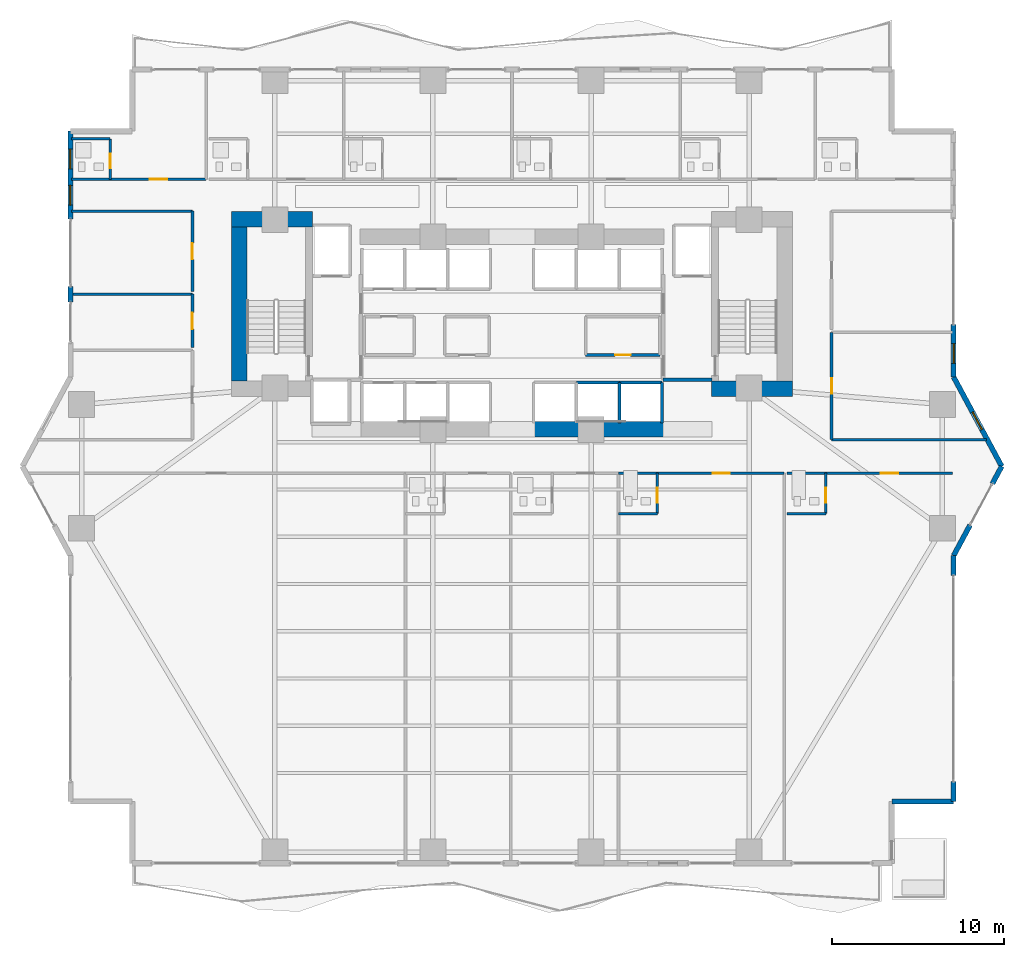
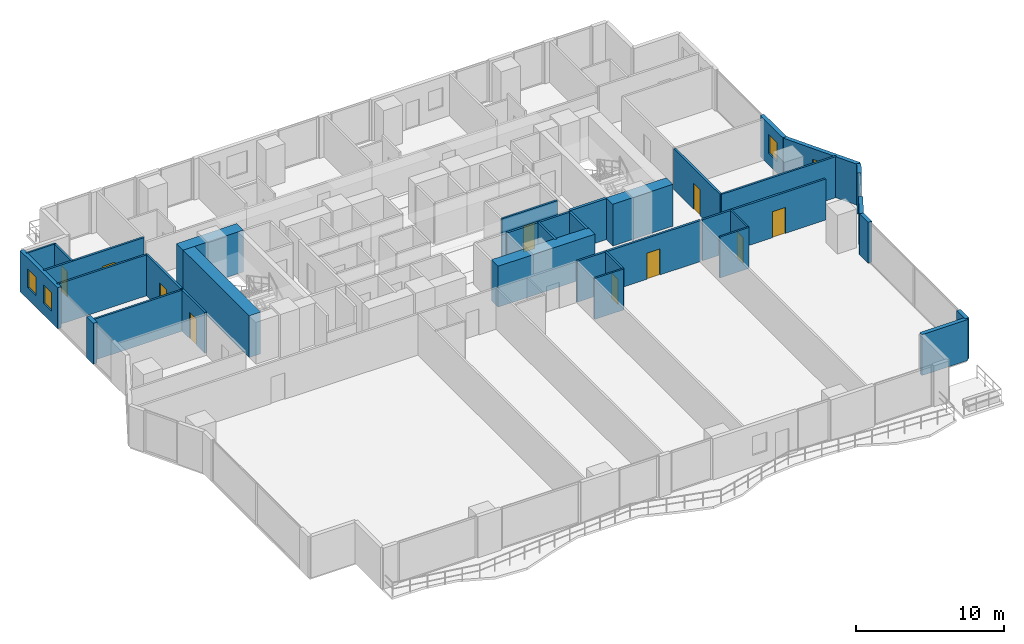
# One storey, part 20 of 30: 34 walls, 10 doors, 4 windows, 14 openings.
"""IFC4 building model written with IfcOpenShell, lengths in metres."""

from ifc_helpers import new_model, si_unit, direction, frame, frame_2d, origin, place, context, subcontext, project, spatial, rectangle, extrude, material, layer, layer_set, type_object, element, fill, save


model = new_model("IFC4")

# Units and contexts
model_context = context("Model", 3, precision=1e-05, world=origin(), true_north=direction((0.0, 1.0)))
body_context = subcontext(model_context, "Body", "Model", "MODEL_VIEW")
ifc_project = project(units=[si_unit("LENGTHUNIT", "METRE"), si_unit("AREAUNIT", "SQUARE_METRE"), si_unit("VOLUMEUNIT", "CUBIC_METRE"), si_unit("PLANEANGLEUNIT", "RADIAN"), si_unit("MASSUNIT", "GRAM", prefix="KILO")], contexts=[model_context])

# Site, building, storey
site_placement = place(None, origin())
site = spatial("IfcSite", under=ifc_project, at=site_placement, CompositionType="ELEMENT")
building_placement = place(site_placement, origin())
building = spatial("IfcBuilding", under=site, at=building_placement, Name="Zuhayl Quay Hotel", CompositionType="ELEMENT")
storey_placement = place(building_placement, frame((0.0, 0.0, 86.0)))
storey = spatial("IfcBuildingStorey", under=building, at=storey_placement, Name="L21", CompositionType="ELEMENT", Elevation=86.0)

# Walls
ifc_material_1 = material(Name="Concrete C70/85", Category="concrete")
ifc_layer_1 = layer(ifc_material_1, 0.89990234375, Name="Concrete C70/85", Category="concrete")
ifc_layer_set_1 = layer_set([ifc_layer_1], Name="Concrete C70/85")
wall_type_1 = type_object("IfcWallType", Name="WL_CORE_900", PredefinedType="SHEAR", material=ifc_layer_set_1)
wall_1_placement = place(storey_placement, frame((-16.31005859375, 14.3798828125, 0.0), z_axis=(0.0, 0.0, 1.0), x_axis=(1.0, 0.0, 0.0)))
element("IfcWall", 1, at=wall_1_placement, inside=storey, type_object=wall_type_1, Name="L21 Core Shear Wall CW_NW", PredefinedType="SHEAR", context=body_context, shape_type="SweptSolid", body=[
    extrude(rectangle(XDim=4.7099609375, YDim=0.89990234375, at=frame_2d((2.35498046875, 0.0))), origin(), (0.0, 0.0, 1.0), 3.4599609375),
])
wall_2_placement = place(storey_placement, frame((-15.860107421875, 4.969970703125, 0.0), z_axis=(0.0, 0.0, 1.0), x_axis=(0.0, 1.0, 0.0)))
element("IfcWall", 2, at=wall_2_placement, inside=storey, type_object=wall_type_1, Name="L21 Core Shear Wall CW_W", PredefinedType="SHEAR", context=body_context, shape_type="SweptSolid", body=[
    extrude(rectangle(XDim=8.9599609375, YDim=0.89990234375, at=frame_2d((4.47998046875, 0.0))), origin(), (0.0, 0.0, 1.0), 3.4599609375),
])
wall_3_placement = place(storey_placement, frame((11.60009765625, 4.52001953125, 0.0), z_axis=(0.0, 0.0, 1.0), x_axis=(1.0, 0.0, 0.0)))
element("IfcWall", 3, at=wall_3_placement, inside=storey, type_object=wall_type_1, Name="L21 Core Shear Wall CW_SE", PredefinedType="SHEAR", context=body_context, shape_type="SweptSolid", body=[
    extrude(rectangle(XDim=4.7099609375, YDim=0.89990234375, at=frame_2d((2.35498046875, 0.0))), origin(), (0.0, 0.0, 1.0), 3.4599609375),
])
wall_4_placement = place(storey_placement, frame((1.25, 2.14990234375, 0.0), z_axis=(0.0, 0.0, 1.0), x_axis=(1.0, 0.0, 0.0)))
element("IfcWall", 4, at=wall_4_placement, inside=storey, type_object=wall_type_1, Name="L21 Core Shear Wall CW_SC_E", PredefinedType="SHEAR", context=body_context, shape_type="SweptSolid", body=[
    extrude(rectangle(XDim=7.60009765625, YDim=0.89990234375, at=frame_2d((3.800048828125, 0.0))), origin(), (0.0, 0.0, 1.0), 3.389892578125),
])
ifc_material_2 = material(Name="Precast concrete C45/55", Category="concrete")
ifc_layer_2 = layer(ifc_material_2, 0.300048828125, Name="Precast concrete C45/55", Category="concrete")
ifc_layer_set_2 = layer_set([ifc_layer_2], Name="Precast concrete C45/55")
wall_type_2 = type_object("IfcWallType", Name="WL_EXT_300", PredefinedType="STANDARD", material=ifc_layer_set_2)
wall_5_placement = place(storey_placement, frame((-25.699951171875, 9.570068359375, 0.0), z_axis=(0.0, 0.0, 1.0), x_axis=(0.0, 1.0, 0.0)))
element("IfcWall", 5, at=wall_5_placement, inside=storey, type_object=wall_type_2, Name="L21 Exterior Precast Wall ENV_L21_E05_EW2", PredefinedType="STANDARD", context=body_context, shape_type="SweptSolid", body=[
    extrude(rectangle(XDim=0.89990234375, YDim=0.300048828125, at=frame_2d((0.449951171875, 0.0))), origin(), (0.0, 0.0, 1.0), 3.389892578125),
])

# Wall, openings, windows
wall_6_placement = place(storey_placement, frame((-25.699951171875, 14.39990234375, 0.0), z_axis=(0.0, 0.0, 1.0), x_axis=(0.0, 1.0, 0.0)))
wall_6 = element("IfcWall", 6, at=wall_6_placement, inside=storey, type_object=wall_type_2, Name="L21 Exterior Precast Wall ENV_L21_E05_EW3", PredefinedType="STANDARD", context=body_context, shape_type="SweptSolid", body=[
    extrude(rectangle(XDim=5.10009765625, YDim=0.300048828125, at=frame_2d((2.550048828125, 0.0))), origin(), (0.0, 0.0, 1.0), 3.389892578125),
])
opening_1_placement = place(wall_6_placement, frame((0.800048828125, 0.0, 0.949951171875)))
opening_1 = element("IfcOpeningElement", 7, at=opening_1_placement, cuts=wall_6, Name="Opening W01N", PredefinedType="OPENING", context=body_context, shape_type="SweptSolid", body=[
    extrude(rectangle(XDim=1.14990234375, YDim=1.550048828125, at=frame_2d((0.574951171875, 0.77490234375))), frame((0.0, 0.159912109375, 0.0), z_axis=(0.0, -1.0, 0.0), x_axis=(1.0, 0.0, 0.0)), (0.0, 0.0, 1.0), 0.320068359375),
])
opening_2_placement = place(wall_6_placement, frame((2.905029296875, 0.0, 0.949951171875)))
opening_2 = element("IfcOpeningElement", 8, at=opening_2_placement, cuts=wall_6, Name="Opening W01N", PredefinedType="OPENING", context=body_context, shape_type="SweptSolid", body=[
    extrude(rectangle(XDim=1.14990234375, YDim=1.550048828125, at=frame_2d((0.574951171875, 0.77490234375))), frame((0.0, 0.159912109375, 0.0), z_axis=(0.0, -1.0, 0.0), x_axis=(1.0, 0.0, 0.0)), (0.0, 0.0, 1.0), 0.320068359375),
])
ifc_material_3 = material(Name="Dark Ceramic-Fritted Solar Glass", Category="glass")
window_type = type_object("IfcWindowType", Name="WN_NOTCH_1350", PartitioningType="SINGLE_PANEL", PredefinedType="WINDOW", material=ifc_material_3)
window_1_placement = place(opening_1_placement, origin())
window_1 = element("IfcWindow", 9, at=window_1_placement, inside=storey, type_object=window_type, Name="L21 Operable Facade Window 3-1", OverallHeight=1.550048828125, OverallWidth=1.14990234375, PartitioningType="SINGLE_PANEL", PredefinedType="WINDOW", context=body_context, shape_type="SweptSolid", body=[
    extrude(rectangle(XDim=1.14990234375, YDim=1.550048828125, at=frame_2d((0.574951171875, 0.77490234375))), frame((0.0, 0.030029296875, 0.0), z_axis=(0.0, -1.0, 0.0), x_axis=(1.0, 0.0, 0.0)), (0.0, 0.0, 1.0), 0.06005859375),
])
fill(opening_1, window_1)
window_2_placement = place(opening_2_placement, origin())
window_2 = element("IfcWindow", 10, at=window_2_placement, inside=storey, type_object=window_type, Name="L21 Operable Facade Window 3-2", OverallHeight=1.550048828125, OverallWidth=1.14990234375, PartitioningType="SINGLE_PANEL", PredefinedType="WINDOW", context=body_context, shape_type="SweptSolid", body=[
    extrude(rectangle(XDim=1.14990234375, YDim=1.550048828125, at=frame_2d((0.574951171875, 0.77490234375))), frame((0.0, 0.030029296875, 0.0), z_axis=(0.0, -1.0, 0.0), x_axis=(1.0, 0.0, 0.0)), (0.0, 0.0, 1.0), 0.06005859375),
])
fill(opening_2, window_2)

# Wall, opening, window
wall_7_placement = place(storey_placement, frame((25.699951171875, 8.25, 0.0), z_axis=(0.0, 0.0, 1.0), x_axis=(0.0, -1.0, 0.0)))
wall_7 = element("IfcWall", 11, at=wall_7_placement, inside=storey, type_object=wall_type_2, Name="L21 Exterior Precast Wall ENV_L21_E11_EW2", PredefinedType="STANDARD", context=body_context, shape_type="SweptSolid", body=[
    extrude(rectangle(XDim=3.050048828125, YDim=0.300048828125, at=frame_2d((1.52490234375, 0.0))), origin(), (0.0, 0.0, 1.0), 3.389892578125),
])
opening_3_placement = place(wall_7_placement, frame((1.114990234375, 0.0, 0.949951171875)))
opening_3 = element("IfcOpeningElement", 12, at=opening_3_placement, cuts=wall_7, Name="Opening W01N", PredefinedType="OPENING", context=body_context, shape_type="SweptSolid", body=[
    extrude(rectangle(XDim=1.14990234375, YDim=1.550048828125, at=frame_2d((0.574951171875, 0.77490234375))), frame((0.0, 0.159912109375, 0.0), z_axis=(0.0, -1.0, 0.0), x_axis=(1.0, 0.0, 0.0)), (0.0, 0.0, 1.0), 0.320068359375),
])
window_3_placement = place(opening_3_placement, origin())
window_3 = element("IfcWindow", 13, at=window_3_placement, inside=storey, type_object=window_type, Name="L21 Operable Facade Window 2-1", OverallHeight=1.550048828125, OverallWidth=1.14990234375, PartitioningType="SINGLE_PANEL", PredefinedType="WINDOW", context=body_context, shape_type="SweptSolid", body=[
    extrude(rectangle(XDim=1.14990234375, YDim=1.550048828125, at=frame_2d((0.574951171875, 0.77490234375))), frame((0.0, 0.030029296875, 0.0), z_axis=(0.0, -1.0, 0.0), x_axis=(1.0, 0.0, 0.0)), (0.0, 0.0, 1.0), 0.06005859375),
])
fill(opening_3, window_3)

wall_8_placement = place(storey_placement, frame((25.699951171875, 5.199951171875, 0.0), z_axis=(0.0, 0.0, 1.0), x_axis=(0.474109683532, -0.880465790352, 0.0)))
wall_8 = element("IfcWall", 14, at=wall_8_placement, inside=storey, type_object=wall_type_2, Name="L21 Exterior Precast Wall ENV_L21_E12_EW1", PredefinedType="STANDARD", context=body_context, shape_type="SweptSolid", body=[
    extrude(rectangle(XDim=5.906005859375, YDim=0.300048828125, at=frame_2d((2.953125, 0.0))), origin(), (0.0, 0.0, 1.0), 3.389892578125),
])
opening_4_placement = place(wall_8_placement, frame((2.32373046875, 0.0, 0.949951171875)))
opening_4 = element("IfcOpeningElement", 15, at=opening_4_placement, cuts=wall_8, Name="Opening W01N", PredefinedType="OPENING", context=body_context, shape_type="SweptSolid", body=[
    extrude(rectangle(XDim=1.14990234375, YDim=1.550048828125, at=frame_2d((0.574951171875, 0.77490234375))), frame((0.0, 0.159912109375, 0.0), z_axis=(0.0, -1.0, 0.0), x_axis=(1.0, 0.0, 0.0)), (0.0, 0.0, 1.0), 0.320068359375),
])
window_4_placement = place(opening_4_placement, origin())
window_4 = element("IfcWindow", 16, at=window_4_placement, inside=storey, type_object=window_type, Name="L21 Operable Facade Window 1-1", OverallHeight=1.550048828125, OverallWidth=1.14990234375, PartitioningType="SINGLE_PANEL", PredefinedType="WINDOW", context=body_context, shape_type="SweptSolid", body=[
    extrude(rectangle(XDim=1.14990234375, YDim=1.550048828125, at=frame_2d((0.574951171875, 0.77490234375))), frame((0.0, 0.030029296875, 0.0), z_axis=(0.0, -1.0, 0.0), x_axis=(1.0, 0.0, 0.0)), (0.0, 0.0, 1.0), 0.06005859375),
])
fill(opening_4, window_4)

# Walls
wall_9_placement = place(storey_placement, frame((28.5, 0.0, 0.0), z_axis=(0.0, 0.0, 1.0), x_axis=(-0.474099823035, -0.880471099922, 0.0)))
element("IfcWall", 17, at=wall_9_placement, inside=storey, type_object=wall_type_2, Name="L21 Exterior Precast Wall ENV_L21_E13_EW1", PredefinedType="STANDARD", context=body_context, shape_type="SweptSolid", body=[
    extrude(rectangle(XDim=1.14990234375, YDim=0.300048828125, at=frame_2d((0.574951171875, 0.0))), origin(), (0.0, 0.0, 1.0), 3.389892578125),
])
wall_10_placement = place(storey_placement, frame((26.657958984375, -3.4208984375, 0.0), z_axis=(0.0, 0.0, 1.0), x_axis=(-0.474121438562, -0.88045946045, 0.0)))
element("IfcWall", 18, at=wall_10_placement, inside=storey, type_object=wall_type_2, Name="L21 Exterior Precast Wall ENV_L21_E13_EW2", PredefinedType="STANDARD", context=body_context, shape_type="SweptSolid", body=[
    extrude(rectangle(XDim=2.0205078125, YDim=0.300048828125, at=frame_2d((1.01025390625, 0.0))), origin(), (0.0, 0.0, 1.0), 3.389892578125),
])
wall_11_placement = place(storey_placement, frame((25.699951171875, -5.199951171875, 0.0), z_axis=(0.0, 0.0, 1.0), x_axis=(0.0, -1.0, 0.0)))
element("IfcWall", 19, at=wall_11_placement, inside=storey, type_object=wall_type_2, Name="L21 Exterior Precast Wall ENV_L21_E14_EW1", PredefinedType="STANDARD", context=body_context, shape_type="SweptSolid", body=[
    extrude(rectangle(XDim=1.150146484375, YDim=0.300048828125, at=frame_2d((0.5751953125, 0.0))), origin(), (0.0, 0.0, 1.0), 3.389892578125),
])
wall_12_placement = place(storey_placement, frame((25.699951171875, -18.35009765625, 0.0), z_axis=(0.0, 0.0, 1.0), x_axis=(0.0, -1.0, 0.0)))
element("IfcWall", 20, at=wall_12_placement, inside=storey, type_object=wall_type_2, Name="L21 Exterior Precast Wall ENV_L21_E14_EW2", PredefinedType="STANDARD", context=body_context, shape_type="SweptSolid", body=[
    extrude(rectangle(XDim=1.14990234375, YDim=0.300048828125, at=frame_2d((0.574951171875, 0.0))), origin(), (0.0, 0.0, 1.0), 3.389892578125),
])
wall_13_placement = place(storey_placement, frame((25.699951171875, -19.5, 0.0), z_axis=(0.0, 0.0, 1.0), x_axis=(-1.0, 0.0, 0.0)))
element("IfcWall", 21, at=wall_13_placement, inside=storey, type_object=wall_type_2, Name="L21 Exterior Precast Wall ENV_L21_EW15", PredefinedType="STANDARD", context=body_context, shape_type="SweptSolid", body=[
    extrude(rectangle(XDim=3.599853515625, YDim=0.300048828125, at=frame_2d((1.7998046875, 0.0))), origin(), (0.0, 0.0, 1.0), 3.389892578125),
])

# Wall, opening, door
ifc_material_4 = material(Name="Acoustic Gypsum Partition STC-58")
ifc_layer_3 = layer(ifc_material_4, 0.14990234375, Name="Acoustic Gypsum Partition STC-58")
ifc_layer_set_3 = layer_set([ifc_layer_3], Name="Acoustic Gypsum Partition STC-58")
wall_type_3 = type_object("IfcWallType", Name="WL_PART_150", PredefinedType="PARTITIONING", material=ifc_layer_set_3)
wall_14_placement = place(storey_placement, frame((4.2900390625, 6.47998046875, 0.0), z_axis=(0.0, 0.0, 1.0), x_axis=(1.0, 0.0, 0.0)))
wall_14 = element("IfcWall", 22, at=wall_14_placement, inside=storey, type_object=wall_type_3, Name="L21 Partition IW_L21_CORE_VL_S", PredefinedType="PARTITIONING", context=body_context, shape_type="SweptSolid", body=[
    extrude(rectangle(XDim=4.320068359375, YDim=0.14990234375, at=frame_2d((2.16015625, 0.0))), origin(), (0.0, 0.0, 1.0), 3.389892578125),
])
opening_5_placement = place(wall_14_placement, frame((1.7099609375, 0.0, 0.0)))
opening_5 = element("IfcOpeningElement", 23, at=opening_5_placement, cuts=wall_14, Name="Opening D06", PredefinedType="OPENING", context=body_context, shape_type="SweptSolid", body=[
    extrude(rectangle(XDim=0.89990234375, YDim=2.14990234375, at=frame_2d((0.449951171875, 1.074951171875))), frame((0.0, 0.0849609375, 0.0), z_axis=(0.0, -1.0, 0.0), x_axis=(1.0, 0.0, 0.0)), (0.0, 0.0, 1.0), 0.169921875),
])
ifc_material_5 = material(Name="Steel ASTM A992 Grade 50", Category="steel")
door_type_1 = type_object("IfcDoorType", Name="DR_INT_900", OperationType="NOTDEFINED", PredefinedType="DOOR", material=ifc_material_5)
door_1_placement = place(opening_5_placement, origin())
door_1 = element("IfcDoor", 24, at=door_1_placement, inside=storey, type_object=door_type_1, Name="L21 Floor Valet Store Door", OperationType="SINGLE_SWING_LEFT", OverallHeight=2.14990234375, OverallWidth=0.89990234375, PredefinedType="DOOR", context=body_context, shape_type="SweptSolid", body=[
    extrude(rectangle(XDim=0.89990234375, YDim=2.14990234375, at=frame_2d((0.449951171875, 1.074951171875))), frame((0.0, 0.02490234375, 0.0), z_axis=(0.0, -1.0, 0.0), x_axis=(1.0, 0.0, 0.0)), (0.0, 0.0, 1.0), 0.050048828125),
])
fill(opening_5, door_1)

# Walls
wall_15_placement = place(storey_placement, frame((18.60009765625, 1.550048828125, 0.0), z_axis=(0.0, 0.0, 1.0), x_axis=(1.0, 0.0, 0.0)))
element("IfcWall", 25, at=wall_15_placement, inside=storey, type_object=wall_type_3, Name="L21 Partition IW_L21_HK_MAIN_S", PredefinedType="PARTITIONING", context=body_context, shape_type="SweptSolid", body=[
    extrude(rectangle(XDim=9.00537109375, YDim=0.14990234375, at=frame_2d((4.502685546875, 0.0))), origin(), (0.0, 0.0, 1.0), 3.389892578125),
])
for number, where, z_axis, x_axis, name in (
    (26, (-25.639892578125, 10.02001953125, 0.0), (0.0, 0.0, 1.0), (1.0, 0.0, 0.0), "L21 Partition IW_L21_WPROW_2_N"),
    (27, (-25.639892578125, 14.85009765625, 0.0), (0.0, 0.0, 1.0), (1.0, 0.0, 0.0), "L21 Partition IW_L21_WPROW_3_N"),
):
    element("IfcWall", number, at=place(storey_placement, frame(where, z_axis=z_axis, x_axis=x_axis)), inside=storey, type_object=wall_type_3, Name=name, PredefinedType="PARTITIONING", context=body_context, shape_type="SweptSolid", body=[
        extrude(rectangle(XDim=7.039794921875, YDim=0.14990234375, at=frame_2d((3.52001953125, 0.0))), origin(), (0.0, 0.0, 1.0), 3.389892578125),
    ])

# Wall, opening, door
ifc_layer_4 = layer(ifc_material_4, 0.159912109375, Name="Acoustic Gypsum Partition STC-58")
ifc_layer_set_4 = layer_set([ifc_layer_4], Name="Acoustic Gypsum Partition STC-58")
wall_type_4 = type_object("IfcWallType", Name="WL_PART_CORR_160", PredefinedType="PARTITIONING", material=ifc_layer_set_4)
wall_16_placement = place(storey_placement, frame((-25.639892578125, 16.699951171875, 0.0), z_axis=(0.0, 0.0, 1.0), x_axis=(1.0, 0.0, 0.0)))
wall_16 = element("IfcWall", 28, at=wall_16_placement, inside=storey, type_object=wall_type_4, Name="L21 Partition IW_L21_NU01A_COR", PredefinedType="PARTITIONING", context=body_context, shape_type="SweptSolid", body=[
    extrude(rectangle(XDim=7.83984375, YDim=0.159912109375, at=frame_2d((3.919921875, 0.0))), origin(), (0.0, 0.0, 1.0), 3.389892578125),
])
opening_6_placement = place(wall_16_placement, frame((4.570068359375, 0.0, 0.0)))
opening_6 = element("IfcOpeningElement", 29, at=opening_6_placement, cuts=wall_16, Name="Opening D03L", PredefinedType="OPENING", context=body_context, shape_type="SweptSolid", body=[
    extrude(rectangle(XDim=1.0, YDim=2.14990234375, at=frame_2d((0.5, 1.074951171875))), frame((0.0, 0.08984375, 0.0), z_axis=(0.0, -1.0, 0.0), x_axis=(1.0, 0.0, 0.0)), (0.0, 0.0, 1.0), 0.179931640625),
])
ifc_material_6 = material(Name="Solid Walnut Acoustic Fire Door")
door_type_2 = type_object("IfcDoorType", Name="DR_SUITE_1000", OperationType="NOTDEFINED", PredefinedType="DOOR", material=ifc_material_6)
door_2_placement = place(opening_6_placement, origin())
door_2 = element("IfcDoor", 30, at=door_2_placement, inside=storey, type_object=door_type_2, Name="L21 Deluxe Gulf Guest Room L21-01A Entrance Door", OperationType="SINGLE_SWING_LEFT", OverallHeight=2.14990234375, OverallWidth=1.0, PredefinedType="DOOR", context=body_context, shape_type="SweptSolid", body=[
    extrude(rectangle(XDim=1.0, YDim=2.14990234375, at=frame_2d((0.5, 1.074951171875))), frame((0.0, 0.02490234375, 0.0), z_axis=(0.0, -1.0, 0.0), x_axis=(1.0, 0.0, 0.0)), (0.0, 0.0, 1.0), 0.050048828125),
])
fill(opening_6, door_2)

wall_17_placement = place(storey_placement, frame((6.199951171875, -0.39990234375, 0.0), z_axis=(0.0, 0.0, 1.0), x_axis=(1.0, 0.0, 0.0)))
wall_17 = element("IfcWall", 31, at=wall_17_placement, inside=storey, type_object=wall_type_4, Name="L21 Partition IW_L21_SU03A_COR", PredefinedType="PARTITIONING", context=body_context, shape_type="SweptSolid", body=[
    extrude(rectangle(XDim=9.64013671875, YDim=0.159912109375, at=frame_2d((4.820068359375, 0.0))), origin(), (0.0, 0.0, 1.0), 3.389892578125),
])
opening_7_placement = place(wall_17_placement, frame((5.469970703125, 0.0, 0.0)))
opening_7 = element("IfcOpeningElement", 32, at=opening_7_placement, cuts=wall_17, Name="Opening D03L", PredefinedType="OPENING", context=body_context, shape_type="SweptSolid", body=[
    extrude(rectangle(XDim=1.0, YDim=2.14990234375, at=frame_2d((0.5, 1.074951171875))), frame((0.0, 0.08984375, 0.0), z_axis=(0.0, -1.0, 0.0), x_axis=(1.0, 0.0, 0.0)), (0.0, 0.0, 1.0), 0.179931640625),
])
door_3_placement = place(opening_7_placement, origin())
door_3 = element("IfcDoor", 33, at=door_3_placement, inside=storey, type_object=door_type_2, Name="L21 City-View Junior Suite L21-03A Entrance Door", OperationType="SINGLE_SWING_RIGHT", OverallHeight=2.14990234375, OverallWidth=1.0, PredefinedType="DOOR", context=body_context, shape_type="SweptSolid", body=[
    extrude(rectangle(XDim=1.0, YDim=2.14990234375, at=frame_2d((0.5, 1.074951171875))), frame((0.0, 0.02490234375, 0.0), z_axis=(0.0, -1.0, 0.0), x_axis=(1.0, 0.0, 0.0)), (0.0, 0.0, 1.0), 0.050048828125),
])
fill(opening_7, door_3)

wall_18_placement = place(storey_placement, frame((16.0, -0.39990234375, 0.0), z_axis=(0.0, 0.0, 1.0), x_axis=(1.0, 0.0, 0.0)))
wall_18 = element("IfcWall", 34, at=wall_18_placement, inside=storey, type_object=wall_type_4, Name="L21 Partition IW_L21_SU03B_COR", PredefinedType="PARTITIONING", context=body_context, shape_type="SweptSolid", body=[
    extrude(rectangle(XDim=9.639892578125, YDim=0.159912109375, at=frame_2d((4.81982421875, 0.0))), origin(), (0.0, 0.0, 1.0), 3.389892578125),
])
opening_8_placement = place(wall_18_placement, frame((5.469970703125, 0.0, 0.0)))
opening_8 = element("IfcOpeningElement", 35, at=opening_8_placement, cuts=wall_18, Name="Opening D03L", PredefinedType="OPENING", context=body_context, shape_type="SweptSolid", body=[
    extrude(rectangle(XDim=1.0, YDim=2.14990234375, at=frame_2d((0.5, 1.074951171875))), frame((0.0, 0.08984375, 0.0), z_axis=(0.0, -1.0, 0.0), x_axis=(1.0, 0.0, 0.0)), (0.0, 0.0, 1.0), 0.179931640625),
])
door_4_placement = place(opening_8_placement, origin())
door_4 = element("IfcDoor", 36, at=door_4_placement, inside=storey, type_object=door_type_2, Name="L21 City-View Junior Suite L21-03B Entrance Door", OperationType="SINGLE_SWING_RIGHT", OverallHeight=2.14990234375, OverallWidth=1.0, PredefinedType="DOOR", context=body_context, shape_type="SweptSolid", body=[
    extrude(rectangle(XDim=1.0, YDim=2.14990234375, at=frame_2d((0.5, 1.074951171875))), frame((0.0, 0.02490234375, 0.0), z_axis=(0.0, -1.0, 0.0), x_axis=(1.0, 0.0, 0.0)), (0.0, 0.0, 1.0), 0.050048828125),
])
fill(opening_8, door_4)

wall_19_placement = place(storey_placement, frame((18.60009765625, 1.550048828125, 0.0), z_axis=(0.0, 0.0, 1.0), x_axis=(0.0, 1.0, 0.0)))
wall_19 = element("IfcWall", 37, at=wall_19_placement, inside=storey, type_object=wall_type_4, Name="L21 Partition IW_L21_HK_MAIN_W", PredefinedType="PARTITIONING", context=body_context, shape_type="SweptSolid", body=[
    extrude(rectangle(XDim=6.25, YDim=0.159912109375, at=frame_2d((3.125, 0.0))), origin(), (0.0, 0.0, 1.0), 3.389892578125),
])
opening_9_placement = place(wall_19_placement, frame((2.6650390625, 0.0, 0.0)))
opening_9 = element("IfcOpeningElement", 38, at=opening_9_placement, cuts=wall_19, Name="Opening D05", PredefinedType="OPENING", context=body_context, shape_type="SweptSolid", body=[
    extrude(rectangle(XDim=0.919921875, YDim=2.1201171875, at=frame_2d((0.4599609375, 1.06005859375))), frame((0.0, 0.08984375, 0.0), z_axis=(0.0, -1.0, 0.0), x_axis=(1.0, 0.0, 0.0)), (0.0, 0.0, 1.0), 0.179931640625),
])
door_type_3 = type_object("IfcDoorType", Name="DR_INT_950", OperationType="NOTDEFINED", PredefinedType="DOOR", material=ifc_material_6)
door_5_placement = place(opening_9_placement, origin())
door_5 = element("IfcDoor", 39, at=door_5_placement, inside=storey, type_object=door_type_3, Name="L21 Housekeeping and Linen Room Door", OperationType="SINGLE_SWING_LEFT", OverallHeight=2.1201171875, OverallWidth=0.919921875, PredefinedType="DOOR", context=body_context, shape_type="SweptSolid", body=[
    extrude(rectangle(XDim=0.919921875, YDim=2.1201171875, at=frame_2d((0.4599609375, 1.06005859375))), frame((0.0, 0.02490234375, 0.0), z_axis=(0.0, -1.0, 0.0), x_axis=(1.0, 0.0, 0.0)), (0.0, 0.0, 1.0), 0.050048828125),
])
fill(opening_9, door_5)

wall_20_placement = place(storey_placement, frame((-18.60009765625, 6.909912109375, 0.0), z_axis=(0.0, 0.0, 1.0), x_axis=(0.0, 1.0, 0.0)))
wall_20 = element("IfcWall", 40, at=wall_20_placement, inside=storey, type_object=wall_type_4, Name="L21 Partition IW_L21_WPROW_2_E", PredefinedType="PARTITIONING", context=body_context, shape_type="SweptSolid", body=[
    extrude(rectangle(XDim=3.110107421875, YDim=0.159912109375, at=frame_2d((1.55517578125, 0.0))), origin(), (0.0, 0.0, 1.0), 3.389892578125),
])
opening_10_placement = place(wall_20_placement, frame((1.080078125, 0.0, 0.0)))
opening_10 = element("IfcOpeningElement", 41, at=opening_10_placement, cuts=wall_20, Name="Opening D03", PredefinedType="OPENING", context=body_context, shape_type="SweptSolid", body=[
    extrude(rectangle(XDim=0.949951171875, YDim=2.14990234375, at=frame_2d((0.47509765625, 1.074951171875))), frame((0.0, 0.08984375, 0.0), z_axis=(0.0, -1.0, 0.0), x_axis=(1.0, 0.0, 0.0)), (0.0, 0.0, 1.0), 0.179931640625),
])
door_type_4 = type_object("IfcDoorType", Name="DR_SUITE_950", OperationType="NOTDEFINED", PredefinedType="DOOR", material=ifc_material_6)
door_6_placement = place(opening_10_placement, origin())
door_6 = element("IfcDoor", 42, at=door_6_placement, inside=storey, type_object=door_type_4, Name="L21 Sunset Tea Salon L21 Door", OperationType="SINGLE_SWING_RIGHT", OverallHeight=2.14990234375, OverallWidth=0.949951171875, PredefinedType="DOOR", context=body_context, shape_type="SweptSolid", body=[
    extrude(rectangle(XDim=0.949951171875, YDim=2.14990234375, at=frame_2d((0.47509765625, 1.074951171875))), frame((0.0, 0.02490234375, 0.0), z_axis=(0.0, -1.0, 0.0), x_axis=(1.0, 0.0, 0.0)), (0.0, 0.0, 1.0), 0.050048828125),
])
fill(opening_10, door_6)

wall_21_placement = place(storey_placement, frame((-18.60009765625, 10.179931640625, 0.0), z_axis=(0.0, 0.0, 1.0), x_axis=(0.0, 1.0, 0.0)))
wall_21 = element("IfcWall", 43, at=wall_21_placement, inside=storey, type_object=wall_type_4, Name="L21 Partition IW_L21_WPROW_3_E", PredefinedType="PARTITIONING", context=body_context, shape_type="SweptSolid", body=[
    extrude(rectangle(XDim=4.670166015625, YDim=0.159912109375, at=frame_2d((2.3349609375, 0.0))), origin(), (0.0, 0.0, 1.0), 3.389892578125),
])
opening_11_placement = place(wall_21_placement, frame((1.860107421875, 0.0, 0.0)))
opening_11 = element("IfcOpeningElement", 44, at=opening_11_placement, cuts=wall_21, Name="Opening D03", PredefinedType="OPENING", context=body_context, shape_type="SweptSolid", body=[
    extrude(rectangle(XDim=0.949951171875, YDim=2.14990234375, at=frame_2d((0.47509765625, 1.074951171875))), frame((0.0, 0.08984375, 0.0), z_axis=(0.0, -1.0, 0.0), x_axis=(1.0, 0.0, 0.0)), (0.0, 0.0, 1.0), 0.179931640625),
])
door_7_placement = place(opening_11_placement, origin())
door_7 = element("IfcDoor", 45, at=door_7_placement, inside=storey, type_object=door_type_4, Name="L21 West Horizon Salon L21 Door", OperationType="SINGLE_SWING_LEFT", OverallHeight=2.14990234375, OverallWidth=0.949951171875, PredefinedType="DOOR", context=body_context, shape_type="SweptSolid", body=[
    extrude(rectangle(XDim=0.949951171875, YDim=2.14990234375, at=frame_2d((0.47509765625, 1.074951171875))), frame((0.0, 0.02490234375, 0.0), z_axis=(0.0, -1.0, 0.0), x_axis=(1.0, 0.0, 0.0)), (0.0, 0.0, 1.0), 0.050048828125),
])
fill(opening_11, door_7)

ifc_material_7 = material(Name="Moisture-Resistant Sanitarychase Gypsum")
ifc_layer_5 = layer(ifc_material_7, 0.135009765625, Name="Moisture-Resistant Sanitarychase Gypsum")
ifc_layer_set_5 = layer_set([ifc_layer_5], Name="Moisture-Resistant Sanitarychase Gypsum")
wall_type_5 = type_object("IfcWallType", Name="WL_PART_PLUMB_150", PredefinedType="PLUMBINGWALL", material=ifc_layer_set_5)
wall_22_placement = place(storey_placement, frame((-23.3798828125, 16.699951171875, 0.0), z_axis=(0.0, 0.0, 1.0), x_axis=(0.0, 1.0, 0.0)))
wall_22 = element("IfcWall", 46, at=wall_22_placement, inside=storey, type_object=wall_type_5, Name="L21 Partition IW_L21_NU01A_BE", PredefinedType="PLUMBINGWALL", context=body_context, shape_type="SweptSolid", body=[
    extrude(rectangle(XDim=2.360107421875, YDim=0.135009765625, at=frame_2d((1.18017578125, 0.0))), origin(), (0.0, 0.0, 1.0), 3.389892578125),
])
opening_12_placement = place(wall_22_placement, frame((0.64990234375, 0.0, 0.0)))
opening_12 = element("IfcOpeningElement", 47, at=opening_12_placement, cuts=wall_22, Name="Opening D04", PredefinedType="OPENING", context=body_context, shape_type="SweptSolid", body=[
    extrude(rectangle(XDim=0.85009765625, YDim=2.10009765625, at=frame_2d((0.425048828125, 1.050048828125))), frame((0.0, 0.077392578125, 0.0), z_axis=(0.0, -1.0, 0.0), x_axis=(1.0, 0.0, 0.0)), (0.0, 0.0, 1.0), 0.155029296875),
])
ifc_material_8 = material(Name="Moisture-Resistant Walnut Veneer")
door_type_5 = type_object("IfcDoorType", Name="DR_BATH_850", OperationType="NOTDEFINED", PredefinedType="DOOR", material=ifc_material_8)
door_8_placement = place(opening_12_placement, origin())
door_8 = element("IfcDoor", 48, at=door_8_placement, inside=storey, type_object=door_type_5, Name="L21 Deluxe Gulf Guest Room L21-01A En-Suite Door", OperationType="SINGLE_SWING_RIGHT", OverallHeight=2.10009765625, OverallWidth=0.85009765625, PredefinedType="DOOR", context=body_context, shape_type="SweptSolid", body=[
    extrude(rectangle(XDim=0.85009765625, YDim=2.10009765625, at=frame_2d((0.425048828125, 1.050048828125))), frame((0.0, 0.02490234375, 0.0), z_axis=(0.0, -1.0, 0.0), x_axis=(1.0, 0.0, 0.0)), (0.0, 0.0, 1.0), 0.050048828125),
])
fill(opening_12, door_8)

wall_23_placement = place(storey_placement, frame((8.4599609375, -2.760009765625, 0.0), z_axis=(0.0, 0.0, 1.0), x_axis=(0.0, 1.0, 0.0)))
wall_23 = element("IfcWall", 49, at=wall_23_placement, inside=storey, type_object=wall_type_5, Name="L21 Partition IW_L21_SU03A_BE", PredefinedType="PLUMBINGWALL", context=body_context, shape_type="SweptSolid", body=[
    extrude(rectangle(XDim=2.360107421875, YDim=0.135009765625, at=frame_2d((1.18017578125, 0.0))), origin(), (0.0, 0.0, 1.0), 3.389892578125),
])
opening_13_placement = place(wall_23_placement, frame((0.64990234375, 0.0, 0.0)))
opening_13 = element("IfcOpeningElement", 50, at=opening_13_placement, cuts=wall_23, Name="Opening D04", PredefinedType="OPENING", context=body_context, shape_type="SweptSolid", body=[
    extrude(rectangle(XDim=0.85009765625, YDim=2.10009765625, at=frame_2d((0.425048828125, 1.050048828125))), frame((0.0, 0.077392578125, 0.0), z_axis=(0.0, -1.0, 0.0), x_axis=(1.0, 0.0, 0.0)), (0.0, 0.0, 1.0), 0.155029296875),
])
door_9_placement = place(opening_13_placement, origin())
door_9 = element("IfcDoor", 51, at=door_9_placement, inside=storey, type_object=door_type_5, Name="L21 City-View Junior Suite L21-03A En-Suite Door", OperationType="SINGLE_SWING_LEFT", OverallHeight=2.10009765625, OverallWidth=0.85009765625, PredefinedType="DOOR", context=body_context, shape_type="SweptSolid", body=[
    extrude(rectangle(XDim=0.85009765625, YDim=2.10009765625, at=frame_2d((0.425048828125, 1.050048828125))), frame((0.0, 0.02490234375, 0.0), z_axis=(0.0, -1.0, 0.0), x_axis=(1.0, 0.0, 0.0)), (0.0, 0.0, 1.0), 0.050048828125),
])
fill(opening_13, door_9)

wall_24_placement = place(storey_placement, frame((18.260009765625, -2.760009765625, 0.0), z_axis=(0.0, 0.0, 1.0), x_axis=(0.0, 1.0, 0.0)))
wall_24 = element("IfcWall", 52, at=wall_24_placement, inside=storey, type_object=wall_type_5, Name="L21 Partition IW_L21_SU03B_BE", PredefinedType="PLUMBINGWALL", context=body_context, shape_type="SweptSolid", body=[
    extrude(rectangle(XDim=2.360107421875, YDim=0.135009765625, at=frame_2d((1.18017578125, 0.0))), origin(), (0.0, 0.0, 1.0), 3.389892578125),
])
opening_14_placement = place(wall_24_placement, frame((0.64990234375, 0.0, 0.0)))
opening_14 = element("IfcOpeningElement", 53, at=opening_14_placement, cuts=wall_24, Name="Opening D04", PredefinedType="OPENING", context=body_context, shape_type="SweptSolid", body=[
    extrude(rectangle(XDim=0.85009765625, YDim=2.10009765625, at=frame_2d((0.425048828125, 1.050048828125))), frame((0.0, 0.077392578125, 0.0), z_axis=(0.0, -1.0, 0.0), x_axis=(1.0, 0.0, 0.0)), (0.0, 0.0, 1.0), 0.155029296875),
])
door_10_placement = place(opening_14_placement, origin())
door_10 = element("IfcDoor", 54, at=door_10_placement, inside=storey, type_object=door_type_5, Name="L21 City-View Junior Suite L21-03B En-Suite Door", OperationType="SINGLE_SWING_LEFT", OverallHeight=2.10009765625, OverallWidth=0.85009765625, PredefinedType="DOOR", context=body_context, shape_type="SweptSolid", body=[
    extrude(rectangle(XDim=0.85009765625, YDim=2.10009765625, at=frame_2d((0.425048828125, 1.050048828125))), frame((0.0, 0.02490234375, 0.0), z_axis=(0.0, -1.0, 0.0), x_axis=(1.0, 0.0, 0.0)), (0.0, 0.0, 1.0), 0.050048828125),
])
fill(opening_14, door_10)

# Walls
for number, where, z_axis, x_axis, name in (
    (55, (-25.639892578125, 19.06005859375, 0.0), (0.0, 0.0, 1.0), (1.0, 0.0, 0.0), "L21 Partition IW_L21_NU01A_BN"),
    (56, (6.199951171875, -2.760009765625, 0.0), (0.0, 0.0, 1.0), (1.0, 0.0, 0.0), "L21 Partition IW_L21_SU03A_BS"),
    (57, (16.0, -2.760009765625, 0.0), (0.0, 0.0, 1.0), (1.0, 0.0, 0.0), "L21 Partition IW_L21_SU03B_BS"),
):
    element("IfcWall", number, at=place(storey_placement, frame(where, z_axis=z_axis, x_axis=x_axis)), inside=storey, type_object=wall_type_5, Name=name, PredefinedType="PLUMBINGWALL", context=body_context, shape_type="SweptSolid", body=[
        extrude(rectangle(XDim=2.260009765625, YDim=0.135009765625, at=frame_2d((1.1298828125, 0.0))), origin(), (0.0, 0.0, 1.0), 3.389892578125),
    ])
ifc_material_9 = material(Name="Gypsum Fireboard Assembly EI-90")
ifc_layer_6 = layer(ifc_material_9, 0.1650390625, Name="Gypsum Fireboard Assembly EI-90")
ifc_layer_set_6 = layer_set([ifc_layer_6], Name="Gypsum Fireboard Assembly EI-90")
wall_type_6 = type_object("IfcWallType", Name="WL_PART_SHAFT_160", PredefinedType="PARTITIONING", material=ifc_layer_set_6)
wall_25_placement = place(storey_placement, frame((3.75, 4.8798828125, 0.0), z_axis=(0.0, 0.0, 1.0), x_axis=(1.0, 0.0, 0.0)))
element("IfcWall", 58, at=wall_25_placement, inside=storey, type_object=wall_type_6, Name="L21 Partition IW_L21_SH_HP1_F", PredefinedType="PARTITIONING", context=body_context, shape_type="SweptSolid", body=[
    extrude(rectangle(XDim=2.5, YDim=0.1650390625, at=frame_2d((1.25, 0.0))), origin(), (0.0, 0.0, 1.0), 3.389892578125),
])
wall_26_placement = place(storey_placement, frame((6.25, 2.52001953125, 0.0), z_axis=(0.0, 0.0, 1.0), x_axis=(0.0, 1.0, 0.0)))
element("IfcWall", 59, at=wall_26_placement, inside=storey, type_object=wall_type_6, Name="L21 Partition IW_L21_SH_HP1_E", PredefinedType="PARTITIONING", context=body_context, shape_type="SweptSolid", body=[
    extrude(rectangle(XDim=2.35986328125, YDim=0.1650390625, at=frame_2d((1.179931640625, 0.0))), origin(), (0.0, 0.0, 1.0), 3.389892578125),
])
wall_27_placement = place(storey_placement, frame((6.25, 4.8798828125, 0.0), z_axis=(0.0, 0.0, 1.0), x_axis=(1.0, 0.0, 0.0)))
element("IfcWall", 60, at=wall_27_placement, inside=storey, type_object=wall_type_6, Name="L21 Partition IW_L21_SH_HP2_F", PredefinedType="PARTITIONING", context=body_context, shape_type="SweptSolid", body=[
    extrude(rectangle(XDim=2.47998046875, YDim=0.1650390625, at=frame_2d((1.239990234375, 0.0))), origin(), (0.0, 0.0, 1.0), 3.389892578125),
])
wall_28_placement = place(storey_placement, frame((8.72998046875, 2.52001953125, 0.0), z_axis=(0.0, 0.0, 1.0), x_axis=(0.0, 1.0, 0.0)))
element("IfcWall", 61, at=wall_28_placement, inside=storey, type_object=wall_type_6, Name="L21 Partition IW_L21_SH_HP2_E", PredefinedType="PARTITIONING", context=body_context, shape_type="SweptSolid", body=[
    extrude(rectangle(XDim=2.35986328125, YDim=0.1650390625, at=frame_2d((1.179931640625, 0.0))), origin(), (0.0, 0.0, 1.0), 3.389892578125),
])
ifc_material_10 = material(Name="Gypsum Fireboard Assembly EI-120")
ifc_layer_7 = layer(ifc_material_10, 0.199951171875, Name="Gypsum Fireboard Assembly EI-120")
ifc_layer_set_7 = layer_set([ifc_layer_7], Name="Gypsum Fireboard Assembly EI-120")
wall_type_7 = type_object("IfcWallType", Name="WL_PART_SHAFT_200", PredefinedType="PARTITIONING", material=ifc_layer_set_7)
wall_29_placement = place(storey_placement, frame((8.800048828125, 5.050048828125, 0.0), z_axis=(0.0, 0.0, 1.0), x_axis=(1.0, 0.0, 0.0)))
element("IfcWall", 62, at=wall_29_placement, inside=storey, type_object=wall_type_7, Name="L21 Partition IW_L21_FSAE_E_S", PredefinedType="PARTITIONING", context=body_context, shape_type="SweptSolid", body=[
    extrude(rectangle(XDim=2.849853515625, YDim=0.199951171875, at=frame_2d((1.4248046875, 0.0))), origin(), (0.0, 0.0, 1.0), 3.389892578125),
])

save(model, "model.ifc")
